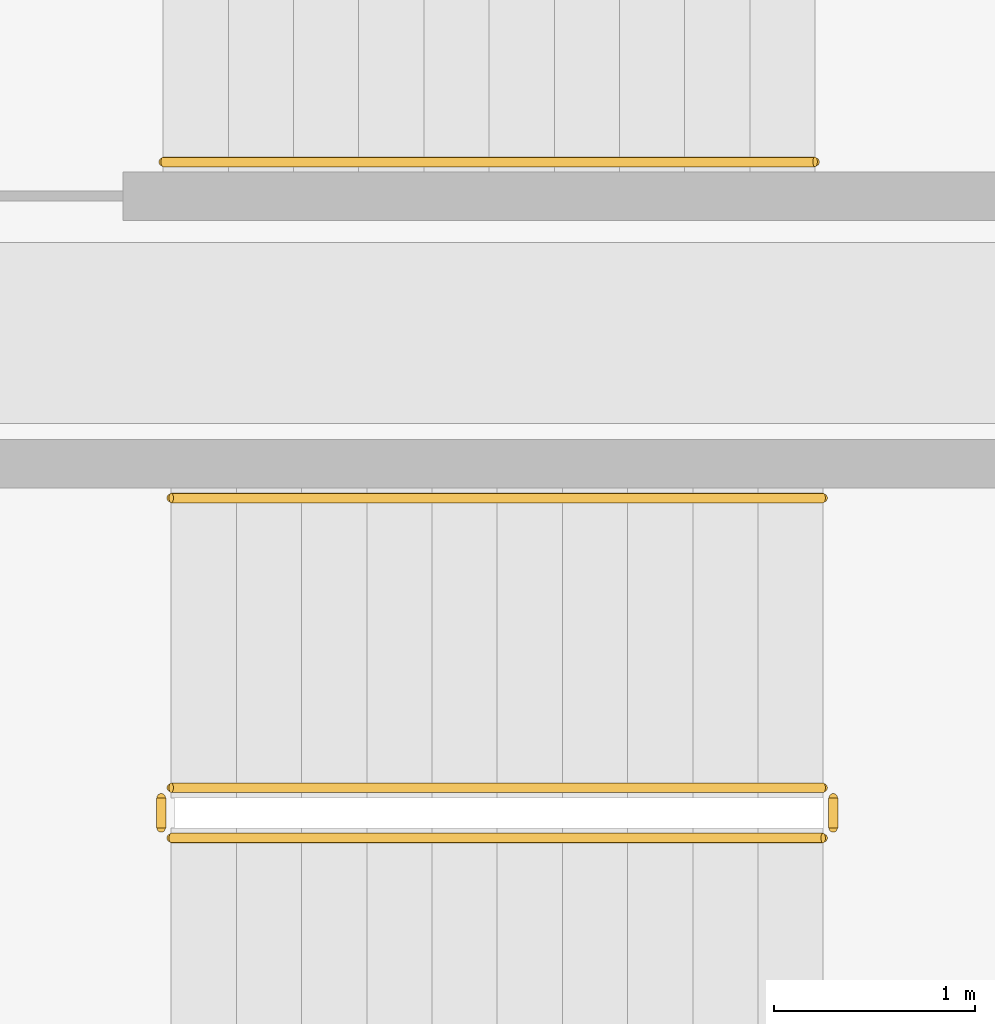
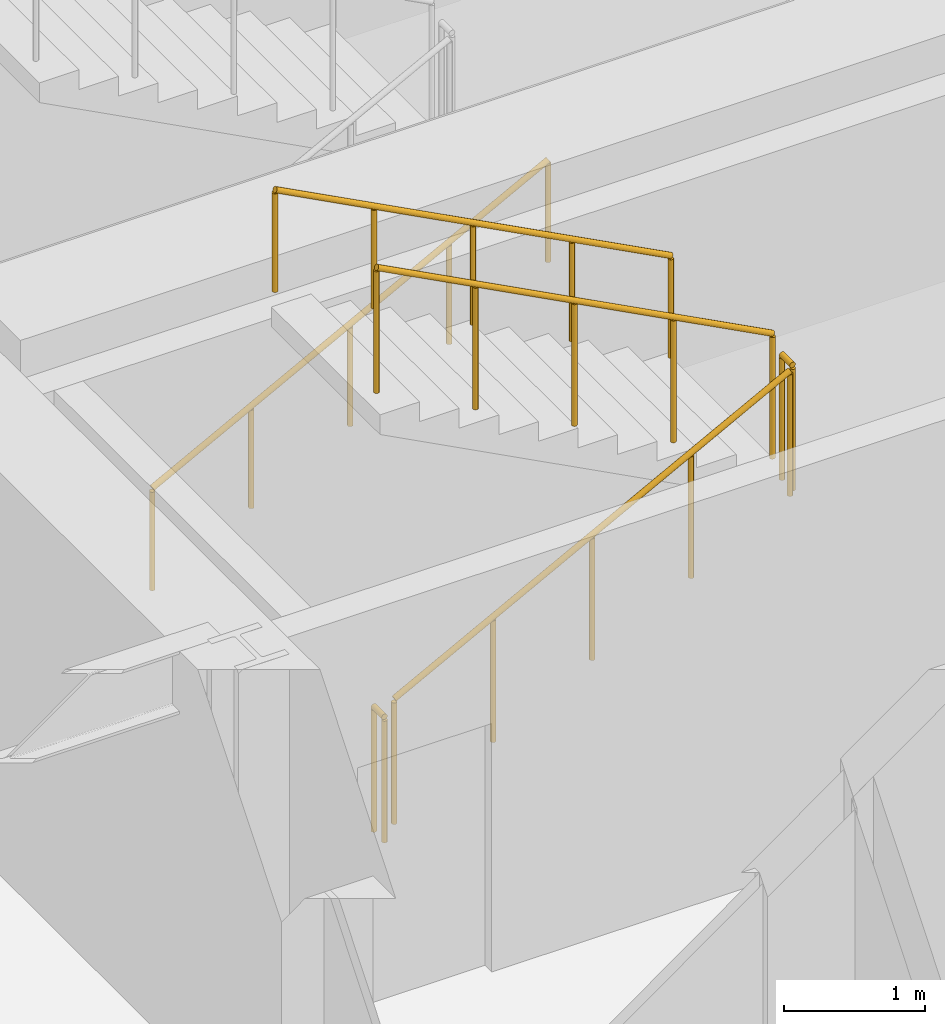
# One storey, part 10 of 12: 6 railings.
"""IFC4 building model written with IfcOpenShell, lengths in metres."""

import ifcopenshell
import ifcopenshell.guid

model = None  # the IFC model being written
_history = None  # IfcOwnerHistory: only IFC2X3 demands one
_inside = {}  # id of a spatial element -> (the spatial element, [elements in it])
_under = {}  # id of a project, library or spatial element -> (it, [spatial elements below it])
_declared = {}  # id of a project -> (the project, [libraries it declares])
_typed = {}  # id of a type object -> (the type object, [elements of that type])
_made_of = {}  # id of a material, layer set ... -> (it, [elements and type objects made of it])


def new_model(schema):
    """Start an empty IFC model of exactly this schema.

    Asked for "IFC4X3", IfcOpenShell would pick the latest addendum, in which some entities
    have other attributes; the version numbers below select the first issue.
    IFC2X3 requires an IfcOwnerHistory on every rooted entity: one is made here for all.
    """
    global model, _history
    if schema == "IFC4X3":
        model = ifcopenshell.file(schema_version=(4, 3, 0, 0))
    else:
        model = ifcopenshell.file(schema=schema)
    _inside.clear()
    _under.clear()
    _declared.clear()
    _typed.clear()
    _made_of.clear()
    _history = None
    if model.schema == "IFC2X3":
        org = make("IfcOrganization", Name="unknown")
        user = make(
            "IfcPersonAndOrganization",
            ThePerson=make("IfcPerson", FamilyName="unknown"),
            TheOrganization=org,
        )
        app = make(
            "IfcApplication",
            ApplicationDeveloper=org,
            Version="unknown",
            ApplicationFullName="unknown",
            ApplicationIdentifier="unknown",
        )
        _history = make(
            "IfcOwnerHistory",
            OwningUser=user,
            OwningApplication=app,
            ChangeAction="ADDED",
            CreationDate=0,
        )
    return model


def make(cls, **values):
    """One entity of the class cls with the attributes given. An attribute that is None is left unset."""
    return model.create_entity(
        cls, **{name: value for name, value in values.items() if value is not None}
    )


def rooted(cls, **values):
    """An entity with a GlobalId (a new one), such as an element, a storey or a relation."""
    return make(cls, GlobalId=ifcopenshell.guid.new(), OwnerHistory=_history, **values)


def si_unit(unit_type, name, prefix=None):
    """IfcSIUnit, for example si_unit("LENGTHUNIT", "METRE", prefix="MILLI")."""
    return make("IfcSIUnit", UnitType=unit_type, Prefix=prefix, Name=name)


def assignment(units):
    """IfcUnitAssignment: the units of a project."""
    return None if units is None else make("IfcUnitAssignment", Units=units)


def point(xyz):
    """IfcCartesianPoint."""
    return None if xyz is None else make("IfcCartesianPoint", Coordinates=xyz)


def direction(xyz):
    """IfcDirection."""
    return None if xyz is None else make("IfcDirection", DirectionRatios=xyz)


def frame(location, z_axis=None, x_axis=None):
    """IfcAxis2Placement3D, a coordinate frame: its origin and axes. An axis left out is left unset."""
    return make(
        "IfcAxis2Placement3D",
        Location=point(location),
        Axis=direction(z_axis),
        RefDirection=direction(x_axis),
    )


def frame_2d(location, x_axis=None):
    """IfcAxis2Placement2D, a coordinate frame in the plane: its origin and x axis."""
    return make(
        "IfcAxis2Placement2D", Location=point(location), RefDirection=direction(x_axis)
    )


def origin():
    """The frame at (0, 0, 0) with its axes left unset."""
    return frame((0.0, 0.0, 0.0))


def origin_2d():
    """The frame at (0, 0) in the plane with its x axis left unset."""
    return frame_2d((0.0, 0.0))


def place(relative_to, where):
    """IfcLocalPlacement: puts the frame where relative to a parent placement (None: the world)."""
    return make(
        "IfcLocalPlacement", PlacementRelTo=relative_to, RelativePlacement=where
    )


def context(
    kind, dimensions, precision=None, world=None, true_north=None, identifier=None
):
    """IfcGeometricRepresentationContext, for example the 3D "Model" context."""
    return make(
        "IfcGeometricRepresentationContext",
        ContextIdentifier=identifier,
        ContextType=kind,
        CoordinateSpaceDimension=dimensions,
        Precision=precision,
        WorldCoordinateSystem=world,
        TrueNorth=true_north,
    )


def subcontext(parent, identifier, kind, view, scale=None):
    """IfcGeometricRepresentationSubContext, for example "Body" below "Model"."""
    return make(
        "IfcGeometricRepresentationSubContext",
        ContextIdentifier=identifier,
        ContextType=kind,
        ParentContext=parent,
        TargetScale=scale,
        TargetView=view,
    )


def project(units=None, contexts=None):
    """IfcProject with its units and contexts."""
    return rooted(
        "IfcProject",
        Name="project",
        RepresentationContexts=contexts,
        UnitsInContext=assignment(units),
    )


def spatial(cls, under=None, at=None, **own):
    """A site, building, storey or space (cls), placed at a placement, below another one or the project."""
    s = rooted(cls, ObjectPlacement=at, **own)
    if under is not None:
        _under.setdefault(under.id(), (under, []))[1].append(s)
    return s


def profile(cls, at=None, kind="AREA", **sizes):
    """A parametric profile (cls). Its sizes go by their IFC names, for example OverallWidth=200.0."""
    return make(cls, ProfileType=kind, Position=at, **sizes)


def circle(**sizes):
    """IfcCircleProfileDef."""
    return profile("IfcCircleProfileDef", **sizes)


def extrude(swept, where, along, depth):
    """IfcExtrudedAreaSolid: the profile swept, set in the frame where, extruded along a direction by depth."""
    return make(
        "IfcExtrudedAreaSolid",
        SweptArea=swept,
        Position=where,
        ExtrudedDirection=direction(along),
        Depth=depth,
    )


def shape(context_of_items, identifier, shape_type, items):
    """IfcShapeRepresentation: the items that make up one representation, for example the "Body"."""
    return make(
        "IfcShapeRepresentation",
        ContextOfItems=context_of_items,
        RepresentationIdentifier=identifier,
        RepresentationType=shape_type,
        Items=items,
    )


def material(Name=None, Category=None):
    """IfcMaterial."""
    return make("IfcMaterial", Name=Name, Category=Category)


def made_of(thing, what):
    """Note that an element or type object is made of a material, layer set ...; save() writes the relation."""
    if what is not None:
        _made_of.setdefault(what.id(), (what, []))[1].append(thing)
    return thing


def type_object(cls, material=None, **own):
    """A type object (cls), such as IfcWallType, which elements share."""
    return made_of(rooted(cls, **own), material)


def element(
    cls,
    number,
    at=None,
    inside=None,
    cuts=None,
    type_object=None,
    material=None,
    context=None,
    identifier="Body",
    shape_type=None,
    held_by="IfcProductDefinitionShape",
    body=None,
    shapes=None,
    **own,
):
    """One element of the class cls, such as IfcWall. Its Tag is "e" and its number.

    at: its placement. inside: the storey or other place that contains it. cuts: it is an
    opening in that element (IfcRelVoidsElement). A single representation is given by context,
    identifier, shape_type and body (its items); several are given by shapes. held_by: the class
    of the entity that holds the representations. save() writes the other relations.
    """
    e = rooted(cls, Tag="e%d" % number, ObjectPlacement=at, **own)
    if body is not None:
        shapes = [shape(context, identifier, shape_type, body)]
    if shapes is not None:
        e.Representation = make(held_by, Representations=shapes)
    if inside is not None:
        _inside.setdefault(inside.id(), (inside, []))[1].append(e)
    if cuts is not None:
        rooted(
            "IfcRelVoidsElement", RelatingBuildingElement=cuts, RelatedOpeningElement=e
        )
    if type_object is not None:
        _typed.setdefault(type_object.id(), (type_object, []))[1].append(e)
    return made_of(e, material)


def aggregate(whole, parts):
    """IfcRelAggregates: a whole, such as a stair, and the parts it consists of."""
    return rooted("IfcRelAggregates", RelatingObject=whole, RelatedObjects=parts)


def save(model, path):
    """Write the relations noted so far, then the file.

    IfcRelAggregates (storeys below a building ...), IfcRelContainedInSpatialStructure (elements
    in a storey), IfcRelDefinesByType, IfcRelAssociatesMaterial and IfcRelDeclares: one each for
    every whole, place, type object, material and project.
    """
    for whole, parts in _under.values():
        aggregate(whole, parts)
    for where, things in _inside.values():
        rooted(
            "IfcRelContainedInSpatialStructure",
            RelatedElements=things,
            RelatingStructure=where,
        )
    for kind, things in _typed.values():
        rooted("IfcRelDefinesByType", RelatedObjects=things, RelatingType=kind)
    for what, things in _made_of.values():
        rooted("IfcRelAssociatesMaterial", RelatedObjects=things, RelatingMaterial=what)
    for by, libraries in _declared.values():
        rooted("IfcRelDeclares", RelatingContext=by, RelatedDefinitions=libraries)
    model.write(path)


model = new_model("IFC4")

# Units and contexts
model_context = context("Model", 3, precision=1e-05, world=origin(), true_north=direction((0.0, 1.0)))
body_context = subcontext(model_context, "Body", "Model", "MODEL_VIEW")
ifc_project = project(units=[si_unit("LENGTHUNIT", "METRE"), si_unit("AREAUNIT", "SQUARE_METRE"), si_unit("VOLUMEUNIT", "CUBIC_METRE"), si_unit("PLANEANGLEUNIT", "RADIAN"), si_unit("MASSUNIT", "GRAM", prefix="KILO")], contexts=[model_context])

# Site, building, storey
site_placement = place(None, origin())
site = spatial("IfcSite", under=ifc_project, at=site_placement, CompositionType="ELEMENT")
building_placement = place(site_placement, origin())
building = spatial("IfcBuilding", under=site, at=building_placement, Name="Kolvaren Arena Tower", CompositionType="ELEMENT")
storey_placement = place(building_placement, frame((0.0, 0.0, 110.949951171875)))
storey = spatial("IfcBuildingStorey", under=building, at=storey_placement, Name="L25", CompositionType="ELEMENT", Elevation=110.949951171875)

# Railings
ifc_material_1 = material(Name="Painted galvanized steel", Category="steel")
railing_type_1 = type_object("IfcRailingType", Name="GUARD-ST-110", PredefinedType="GUARDRAIL", material=ifc_material_1)
railing_1_placement = place(storey_placement, frame((52.719970703125, 31.639892578125, 0.17041015625)))
element("IfcRailing", 1, at=railing_1_placement, inside=storey, type_object=railing_type_1, Name="L25 ST-E1 stair guard 1", PredefinedType="GUARDRAIL", context=body_context, shape_type="SweptSolid", body=[
    extrude(circle(Radius=0.02392578125, at=origin_2d()), frame((0.0, 0.0, 1.076171875), z_axis=(0.884993431791, 0.0, 0.465603506952), x_axis=(0.0, 1.0, 0.0)), (0.0, 0.0, 1.0), 3.6611328125),
    extrude(circle(Radius=0.02099609375, at=origin_2d()), origin(), (0.0, 0.0, 1.0), 1.052001953125),
    extrude(circle(Radius=0.02099609375, at=origin_2d()), frame((0.81005859375, 0.0, 0.42626953125)), (0.0, 0.0, 1.0), 1.052001953125),
    extrude(circle(Radius=0.02099609375, at=origin_2d()), frame((1.6201171875, 0.0, 0.852294921875)), (0.0, 0.0, 1.0), 1.052001953125),
    extrude(circle(Radius=0.02099609375, at=origin_2d()), frame((2.429931640625, 0.0, 1.2783203125)), (0.0, 0.0, 1.0), 1.052001953125),
    extrude(circle(Radius=0.02099609375, at=origin_2d()), frame((3.239990234375, 0.0, 1.70458984375)), (0.0, 0.0, 1.0), 1.052001953125),
])
railing_2_placement = place(storey_placement, frame((56.010009765625, 31.68994140625, 1.875)))
element("IfcRailing", 2, at=railing_2_placement, inside=storey, type_object=railing_type_1, Name="L25 ST-E1 stair guard 2", PredefinedType="GUARDRAIL", context=body_context, shape_type="SweptSolid", body=[
    extrude(circle(Radius=0.02392578125, at=origin_2d()), frame((0.0, 0.0, 1.076171875), z_axis=(0.0, 1.0, 0.0), x_axis=(-1.0, 0.0, 0.0)), (0.0, 0.0, 1.0), 0.150146484375),
    extrude(circle(Radius=0.02099609375, at=origin_2d()), origin(), (0.0, 0.0, 1.0), 1.052001953125),
    extrude(circle(Radius=0.02099609375, at=origin_2d()), frame((0.0, 0.150146484375, 0.0)), (0.0, 0.0, 1.0), 1.052001953125),
])
railing_3_placement = place(storey_placement, frame((55.9599609375, 31.889892578125, 2.04541015625)))
element("IfcRailing", 3, at=railing_3_placement, inside=storey, type_object=railing_type_1, Name="L25 ST-E1 stair guard 3", PredefinedType="GUARDRAIL", context=body_context, shape_type="SweptSolid", body=[
    extrude(circle(Radius=0.02392578125, at=origin_2d()), frame((0.0, 0.0, 1.076171875), z_axis=(-0.884993431791, 0.0, 0.465603506952), x_axis=(0.0, -1.0, 0.0)), (0.0, 0.0, 1.0), 3.6611328125),
    extrude(circle(Radius=0.02099609375, at=origin_2d()), origin(), (0.0, 0.0, 1.0), 1.052001953125),
    extrude(circle(Radius=0.02099609375, at=origin_2d()), frame((-0.81005859375, 0.0, 0.42626953125)), (0.0, 0.0, 1.0), 1.052001953125),
    extrude(circle(Radius=0.02099609375, at=origin_2d()), frame((-1.6201171875, 0.0, 0.852294921875)), (0.0, 0.0, 1.0), 1.052001953125),
    extrude(circle(Radius=0.02099609375, at=origin_2d()), frame((-2.429931640625, 0.0, 1.2783203125)), (0.0, 0.0, 1.0), 1.052001953125),
    extrude(circle(Radius=0.02099609375, at=origin_2d()), frame((-3.239990234375, 0.0, 1.70458984375)), (0.0, 0.0, 1.0), 1.052001953125),
])
railing_4_placement = place(storey_placement, frame((52.669921875, 31.68994140625, 0.0)))
element("IfcRailing", 4, at=railing_4_placement, inside=storey, type_object=railing_type_1, Name="L25 ST-E1 stair guard 4", PredefinedType="GUARDRAIL", context=body_context, shape_type="SweptSolid", body=[
    extrude(circle(Radius=0.02392578125, at=origin_2d()), frame((0.0, 0.0, 1.076171875), z_axis=(0.0, 1.0, 0.0), x_axis=(-1.0, 0.0, 0.0)), (0.0, 0.0, 1.0), 0.150146484375),
    extrude(circle(Radius=0.02099609375, at=origin_2d()), origin(), (0.0, 0.0, 1.0), 1.052001953125),
    extrude(circle(Radius=0.02099609375, at=origin_2d()), frame((0.0, 0.150146484375, 0.0)), (0.0, 0.0, 1.0), 1.052001953125),
])
ifc_material_2 = material(Name="Brushed stainless steel handrail", Category="steel")
railing_type_2 = type_object("IfcRailingType", Name="HRAIL-900", PredefinedType="HANDRAIL", material=ifc_material_2)
railing_5_placement = place(storey_placement, frame((55.9599609375, 33.330078125, 2.04541015625)))
element("IfcRailing", 5, at=railing_5_placement, inside=storey, type_object=railing_type_2, Name="L25 ST-E1 stair handrail 2", PredefinedType="HANDRAIL", context=body_context, shape_type="SweptSolid", body=[
    extrude(circle(Radius=0.02392578125, at=origin_2d()), frame((0.0, 0.0, 0.8759765625), z_axis=(-0.884993431791, 0.0, 0.465603506952), x_axis=(0.0, -1.0, 0.0)), (0.0, 0.0, 1.0), 3.6611328125),
    extrude(circle(Radius=0.02099609375, at=origin_2d()), origin(), (0.0, 0.0, 1.0), 0.851806640625),
    extrude(circle(Radius=0.02099609375, at=origin_2d()), frame((-0.81005859375, 0.0, 0.42626953125)), (0.0, 0.0, 1.0), 0.851806640625),
    extrude(circle(Radius=0.02099609375, at=origin_2d()), frame((-1.6201171875, 0.0, 0.852294921875)), (0.0, 0.0, 1.0), 0.851806640625),
    extrude(circle(Radius=0.02099609375, at=origin_2d()), frame((-2.429931640625, 0.0, 1.2783203125)), (0.0, 0.0, 1.0), 0.851806640625),
    extrude(circle(Radius=0.02099609375, at=origin_2d()), frame((-3.239990234375, 0.0, 1.70458984375)), (0.0, 0.0, 1.0), 0.851806640625),
])
railing_6_placement = place(storey_placement, frame((52.679931640625, 35.0, 0.17041015625)))
element("IfcRailing", 6, at=railing_6_placement, inside=storey, type_object=railing_type_2, Name="L25 ST-E2 stair handrail 1", PredefinedType="HANDRAIL", context=body_context, shape_type="SweptSolid", body=[
    extrude(circle(Radius=0.02392578125, at=origin_2d()), frame((0.0, 0.0, 0.8759765625), z_axis=(0.884993431791, 0.0, 0.465603506952), x_axis=(0.0, 1.0, 0.0)), (0.0, 0.0, 1.0), 3.6611328125),
    extrude(circle(Radius=0.02099609375, at=origin_2d()), origin(), (0.0, 0.0, 1.0), 0.851806640625),
    extrude(circle(Radius=0.02099609375, at=origin_2d()), frame((0.81005859375, 0.0, 0.42626953125)), (0.0, 0.0, 1.0), 0.851806640625),
    extrude(circle(Radius=0.02099609375, at=origin_2d()), frame((1.6201171875, 0.0, 0.852294921875)), (0.0, 0.0, 1.0), 0.851806640625),
    extrude(circle(Radius=0.02099609375, at=origin_2d()), frame((2.429931640625, 0.0, 1.2783203125)), (0.0, 0.0, 1.0), 0.851806640625),
    extrude(circle(Radius=0.02099609375, at=origin_2d()), frame((3.239990234375, 0.0, 1.70458984375)), (0.0, 0.0, 1.0), 0.851806640625),
])

save(model, "model.ifc")
